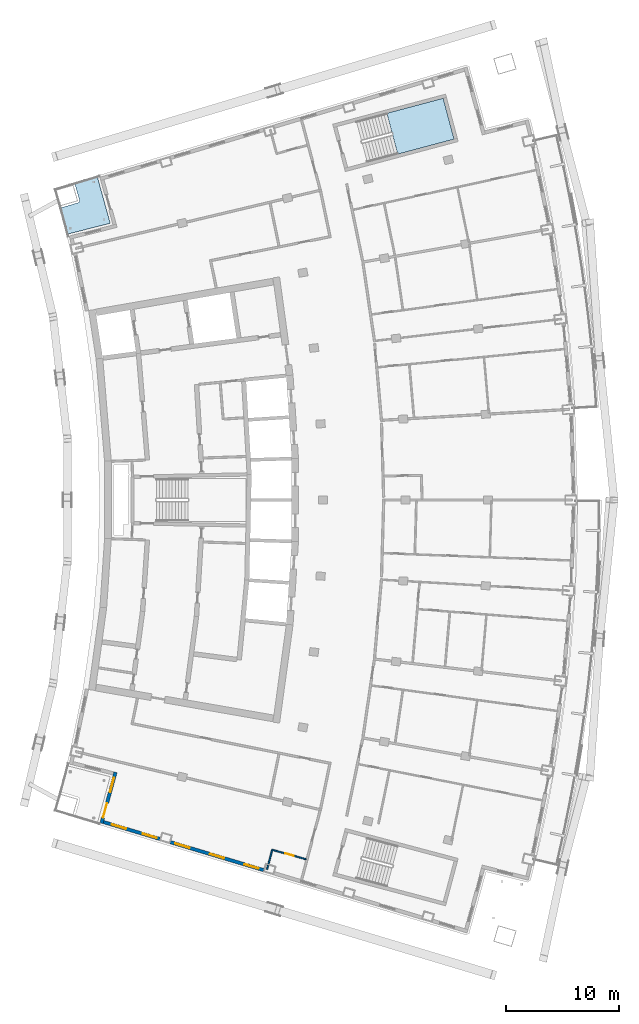
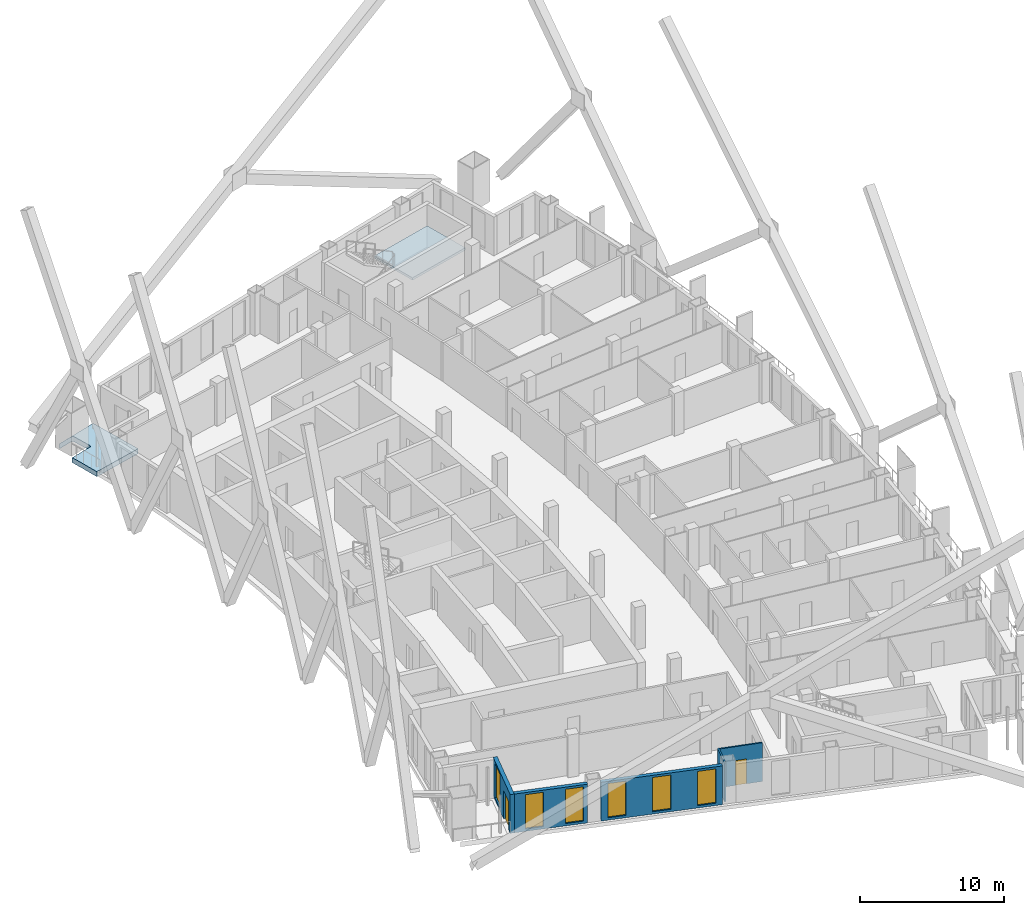
# One storey, part 9 of 20: 6 windows, 5 walls, 2 doors, 2 slabs, 8 openings, 1 element without a shape of its own.
"""IFC4 building model written with IfcOpenShell, lengths in metres."""

from ifc_helpers import new_model, si_unit, direction, frame, frame_2d, origin, place, context, subcontext, project, spatial, polyline, rectangle, outline, extrude, material, layer, layer_set, type_object, element, fill, aggregate, save


model = new_model("IFC4")

# Units and contexts
model_context = context("Model", 3, precision=1e-05, world=origin(), true_north=direction((0.0, 1.0)))
body_context = subcontext(model_context, "Body", "Model", "MODEL_VIEW")
ifc_project = project(units=[si_unit("LENGTHUNIT", "METRE"), si_unit("AREAUNIT", "SQUARE_METRE"), si_unit("VOLUMEUNIT", "CUBIC_METRE"), si_unit("PLANEANGLEUNIT", "RADIAN"), si_unit("MASSUNIT", "GRAM", prefix="KILO")], contexts=[model_context])

# Site, building, storey
site_placement = place(None, origin())
site = spatial("IfcSite", under=ifc_project, at=site_placement, CompositionType="ELEMENT")
building_placement = place(site_placement, origin())
building = spatial("IfcBuilding", under=site, at=building_placement, Name="Alderwake Tower", CompositionType="ELEMENT")
storey_placement = place(building_placement, frame((0.0, 0.0, 210.800048828125)))
storey = spatial("IfcBuildingStorey", under=building, at=storey_placement, Name="L52", CompositionType="ELEMENT", Elevation=210.800048828125)

# Stair, slab
ifc_material_1 = material(Name="Concrete C40/50", Category="concrete")
stair_type = type_object("IfcStairType", Name="Core exit stair", PredefinedType="HALF_TURN_STAIR", material=ifc_material_1)
stair_placement = place(storey_placement, origin())
stair = element("IfcStair", 1, at=stair_placement, inside=storey, type_object=stair_type, Name="L52 Exit Stair A", PredefinedType="HALF_TURN_STAIR")
ifc_material_2 = material(Name="Concrete C40/50", Category="concrete")
ifc_layer_1 = layer(ifc_material_2, 0.199951171875)
ifc_layer_set_1 = layer_set([ifc_layer_1], Name="Core stair landing 200")
slab_type_1 = type_object("IfcSlabType", Name="Core stair landing 200", PredefinedType="LANDING", material=ifc_layer_set_1)
slab_1_placement = place(storey_placement, frame((0.0, 0.0, 1.599853515625)))
slab_1 = element("IfcSlab", 2, at=slab_1_placement, type_object=slab_type_1, Name="ST-A landing 1", PredefinedType="LANDING", context=body_context, shape_type="SweptSolid", body=[
    extrude(outline(polyline([(42.440673828125, 91.67236328125), (47.436279296875, 93.003173828125), (46.47119140625, 96.626708984375), (41.475341796875, 95.296142578125), (42.440673828125, 91.67236328125)])), origin(), (0.0, 0.0, 1.0), 0.2001953125),
])
aggregate(stair, [slab_1])

# Slab
ifc_material_3 = material(Name="Concrete C50/60", Category="concrete")
ifc_layer_2 = layer(ifc_material_3, 0.419921875)
ifc_layer_set_2 = layer_set([ifc_layer_2], Name="Terrace slab 420")
slab_type_2 = type_object("IfcSlabType", Name="Terrace slab 420", PredefinedType="FLOOR", material=ifc_layer_set_2)
slab_2_placement = place(storey_placement, frame((0.0, 0.0, -0.420166015625)))
element("IfcSlab", 3, at=slab_2_placement, inside=storey, type_object=slab_type_2, Name="Corner terrace RN", PredefinedType="FLOOR", context=body_context, shape_type="SweptSolid", body=[
    extrude(outline(polyline([(12.4404296875, 86.891357421875), (12.453857421875, 86.890380859375), (12.468505859375, 86.89111328125), (12.483154296875, 86.89306640625), (12.49755859375, 86.896484375), (14.130126953125, 87.3701171875), (14.14404296875, 87.374755859375), (14.157470703125, 87.381103515625), (14.170166015625, 87.388427734375), (14.18212890625, 87.39697265625), (14.193115234375, 87.40673828125), (14.203125, 87.41748046875), (14.212158203125, 87.42919921875), (14.2197265625, 87.44189453125), (14.226318359375, 87.455078125), (14.2314453125, 87.46875), (14.235107421875, 87.483154296875), (14.237548828125, 87.49755859375), (14.23828125, 87.51220703125), (14.23779296875, 87.527099609375), (14.23583984375, 87.54150390625), (14.232421875, 87.555908203125), (13.814453125, 88.99658203125), (13.809814453125, 89.010498046875), (13.8037109375, 89.023681640625), (13.796142578125, 89.03662109375), (13.78759765625, 89.048583984375), (13.77783203125, 89.0595703125), (13.76708984375, 89.069580078125), (13.75537109375, 89.078369140625), (13.742919921875, 89.086181640625), (13.7294921875, 89.092529296875), (13.7158203125, 89.09765625), (13.701416015625, 89.1015625), (13.68701171875, 89.103759765625), (13.67236328125, 89.104736328125), (13.65771484375, 89.104248046875), (13.64306640625, 89.102294921875), (13.628662109375, 89.098876953125), (12.517333984375, 88.7763671875), (15.776611328125, 89.7548828125), (16.942626953125, 85.53857421875), (13.06494140625, 84.556884765625), (12.71142578125, 85.91162109375), (12.4404296875, 86.891357421875)])), origin(), (0.0, 0.0, 1.0), 0.420166015625),
])

# Wall, openings, door, window
ifc_material_4 = material(Name="Bronze metal cladding on lightweight framing")
ifc_layer_3 = layer(ifc_material_4, 0.300048828125)
ifc_layer_set_3 = layer_set([ifc_layer_3], Name="External wall EW2 bronze metal cladding")
wall_type_1 = type_object("IfcWallType", Name="External wall EW2 bronze metal cladding", PredefinedType="SOLIDWALL", material=ifc_layer_set_3)
wall_1_placement = place(storey_placement, frame((17.410400390625, 36.85888671875, 0.0), z_axis=(0.0, 0.0, 1.0), x_axis=(-0.264592640785, -0.96436027212, 0.0)))
wall_1 = element("IfcWall", 4, at=wall_1_placement, inside=storey, type_object=wall_type_1, Name="External wall 3", PredefinedType="SOLIDWALL", context=body_context, shape_type="SweptSolid", body=[
    extrude(rectangle(XDim=4.690185546875, YDim=0.300048828125, at=frame_2d((2.34521484375, 0.0))), origin(), (0.0, 0.0, 1.0), 3.280029296875),
])
opening_1_placement = place(wall_1_placement, frame((0.5224609375, 0.0, 0.199951171875)))
opening_1 = element("IfcOpeningElement", 5, at=opening_1_placement, cuts=wall_1, Name="Opening W1", PredefinedType="OPENING", context=body_context, shape_type="SweptSolid", body=[
    extrude(rectangle(XDim=1.300048828125, YDim=2.89990234375, at=frame_2d((0.64990234375, 1.449951171875))), frame((0.0, 0.159912109375, 0.0), z_axis=(0.0, -1.0, 0.0), x_axis=(1.0, 0.0, 0.0)), (0.0, 0.0, 1.0), 0.320068359375),
])
opening_2_placement = place(wall_1_placement, frame((2.867431640625, 0.0, 0.0)))
opening_2 = element("IfcOpeningElement", 6, at=opening_2_placement, cuts=wall_1, Name="Opening D01", PredefinedType="OPENING", context=body_context, shape_type="SweptSolid", body=[
    extrude(rectangle(XDim=1.300048828125, YDim=2.39990234375, at=frame_2d((0.64990234375, 1.199951171875))), frame((0.0, 0.159912109375, 0.0), z_axis=(0.0, -1.0, 0.0), x_axis=(1.0, 0.0, 0.0)), (0.0, 0.0, 1.0), 0.320068359375),
])
ifc_material_5 = material(Name="Bronze tinted glass in aluminium frame", Category="aluminium")
door_type_1 = type_object("IfcDoorType", Name="Balcony door BD sliding", OperationType="SLIDING_TO_LEFT", PredefinedType="DOOR", material=ifc_material_5)
door_1_placement = place(opening_2_placement, origin())
door_1 = element("IfcDoor", 7, at=door_1_placement, inside=storey, type_object=door_type_1, Name="Door D01", OperationType="SLIDING_TO_LEFT", OverallHeight=2.39990234375, OverallWidth=1.300048828125, PredefinedType="DOOR", context=body_context, shape_type="SweptSolid", body=[
    extrude(rectangle(XDim=1.300048828125, YDim=2.39990234375, at=frame_2d((0.64990234375, 1.199951171875))), frame((0.0, 0.02490234375, 0.0), z_axis=(0.0, -1.0, 0.0), x_axis=(1.0, 0.0, 0.0)), (0.0, 0.0, 1.0), 0.050048828125),
])
fill(opening_2, door_1)
ifc_material_6 = material(Name="Bronze tinted glass in aluminium frame", Category="aluminium")
window_type = type_object("IfcWindowType", Name="Window W1 tall fixed and vent", PartitioningType="DOUBLE_PANEL_VERTICAL", PredefinedType="WINDOW", material=ifc_material_6)
window_1_placement = place(opening_1_placement, origin())
window_1 = element("IfcWindow", 8, at=window_1_placement, inside=storey, type_object=window_type, Name="Window W1 tall fixed and vent", OverallHeight=2.89990234375, OverallWidth=1.300048828125, PartitioningType="DOUBLE_PANEL_VERTICAL", PredefinedType="WINDOW", context=body_context, shape_type="SweptSolid", body=[
    extrude(rectangle(XDim=1.300048828125, YDim=2.89990234375, at=frame_2d((0.64990234375, 1.449951171875))), frame((0.0, 0.030029296875, 0.0), z_axis=(0.0, -1.0, 0.0), x_axis=(1.0, 0.0, 0.0)), (0.0, 0.0, 1.0), 0.06005859375),
])
fill(opening_1, window_1)

# Wall, openings, windows
wall_2_placement = place(storey_placement, frame((16.352783203125, 32.4375, 0.0), z_axis=(0.0, 0.0, 1.0), x_axis=(0.95777225046, -0.287527939944, 0.0)))
wall_2 = element("IfcWall", 9, at=wall_2_placement, inside=storey, type_object=wall_type_1, Name="External wall 4", PredefinedType="SOLIDWALL", context=body_context, shape_type="SweptSolid", body=[
    extrude(rectangle(XDim=5.224609375, YDim=0.300048828125, at=frame_2d((2.6123046875, 0.0))), origin(), (0.0, 0.0, 1.0), 3.280029296875),
])
opening_3_placement = place(wall_2_placement, frame((0.775390625, 0.0, 0.199951171875)))
opening_3 = element("IfcOpeningElement", 10, at=opening_3_placement, cuts=wall_2, Name="Opening W1", PredefinedType="OPENING", context=body_context, shape_type="SweptSolid", body=[
    extrude(rectangle(XDim=1.300048828125, YDim=2.89990234375, at=frame_2d((0.64990234375, 1.449951171875))), frame((0.0, 0.159912109375, 0.0), z_axis=(0.0, -1.0, 0.0), x_axis=(1.0, 0.0, 0.0)), (0.0, 0.0, 1.0), 0.320068359375),
])
opening_4_placement = place(wall_2_placement, frame((3.626220703125, 0.0, 0.199951171875)))
opening_4 = element("IfcOpeningElement", 11, at=opening_4_placement, cuts=wall_2, Name="Opening W1", PredefinedType="OPENING", context=body_context, shape_type="SweptSolid", body=[
    extrude(rectangle(XDim=1.300048828125, YDim=2.89990234375, at=frame_2d((0.64990234375, 1.449951171875))), frame((0.0, 0.159912109375, 0.0), z_axis=(0.0, -1.0, 0.0), x_axis=(1.0, 0.0, 0.0)), (0.0, 0.0, 1.0), 0.320068359375),
])
window_2_placement = place(opening_3_placement, origin())
window_2 = element("IfcWindow", 12, at=window_2_placement, inside=storey, type_object=window_type, Name="Window W1 tall fixed and vent", OverallHeight=2.89990234375, OverallWidth=1.300048828125, PartitioningType="DOUBLE_PANEL_VERTICAL", PredefinedType="WINDOW", context=body_context, shape_type="SweptSolid", body=[
    extrude(rectangle(XDim=1.300048828125, YDim=2.89990234375, at=frame_2d((0.64990234375, 1.449951171875))), frame((0.0, 0.030029296875, 0.0), z_axis=(0.0, -1.0, 0.0), x_axis=(1.0, 0.0, 0.0)), (0.0, 0.0, 1.0), 0.06005859375),
])
fill(opening_3, window_2)
window_3_placement = place(opening_4_placement, origin())
window_3 = element("IfcWindow", 13, at=window_3_placement, inside=storey, type_object=window_type, Name="Window W1 tall fixed and vent", OverallHeight=2.89990234375, OverallWidth=1.300048828125, PartitioningType="DOUBLE_PANEL_VERTICAL", PredefinedType="WINDOW", context=body_context, shape_type="SweptSolid", body=[
    extrude(rectangle(XDim=1.300048828125, YDim=2.89990234375, at=frame_2d((0.64990234375, 1.449951171875))), frame((0.0, 0.030029296875, 0.0), z_axis=(0.0, -1.0, 0.0), x_axis=(1.0, 0.0, 0.0)), (0.0, 0.0, 1.0), 0.06005859375),
])
fill(opening_4, window_3)

wall_3_placement = place(storey_placement, frame((22.270751953125, 30.660888671875, 0.0), z_axis=(0.0, 0.0, 1.0), x_axis=(0.957767198916, -0.287544766394, 0.0)))
wall_3 = element("IfcWall", 14, at=wall_3_placement, inside=storey, type_object=wall_type_1, Name="External wall 5", PredefinedType="SOLIDWALL", context=body_context, shape_type="SweptSolid", body=[
    extrude(rectangle(XDim=8.64599609375, YDim=0.300048828125, at=frame_2d((4.322998046875, 0.0))), origin(), (0.0, 0.0, 1.0), 3.280029296875),
])
opening_5_placement = place(wall_3_placement, frame((0.472900390625, 0.0, 0.199951171875)))
opening_5 = element("IfcOpeningElement", 15, at=opening_5_placement, cuts=wall_3, Name="Opening W1", PredefinedType="OPENING", context=body_context, shape_type="SweptSolid", body=[
    extrude(rectangle(XDim=1.300048828125, YDim=2.89990234375, at=frame_2d((0.64990234375, 1.449951171875))), frame((0.0, 0.159912109375, 0.0), z_axis=(0.0, -1.0, 0.0), x_axis=(1.0, 0.0, 0.0)), (0.0, 0.0, 1.0), 0.320068359375),
])
opening_6_placement = place(wall_3_placement, frame((3.673095703125, 0.0, 0.199951171875)))
opening_6 = element("IfcOpeningElement", 16, at=opening_6_placement, cuts=wall_3, Name="Opening W1", PredefinedType="OPENING", context=body_context, shape_type="SweptSolid", body=[
    extrude(rectangle(XDim=1.300048828125, YDim=2.89990234375, at=frame_2d((0.64990234375, 1.449951171875))), frame((0.0, 0.159912109375, 0.0), z_axis=(0.0, -1.0, 0.0), x_axis=(1.0, 0.0, 0.0)), (0.0, 0.0, 1.0), 0.320068359375),
])
opening_7_placement = place(wall_3_placement, frame((6.873046875, 0.0, 0.199951171875)))
opening_7 = element("IfcOpeningElement", 17, at=opening_7_placement, cuts=wall_3, Name="Opening W1", PredefinedType="OPENING", context=body_context, shape_type="SweptSolid", body=[
    extrude(rectangle(XDim=1.300048828125, YDim=2.89990234375, at=frame_2d((0.64990234375, 1.449951171875))), frame((0.0, 0.159912109375, 0.0), z_axis=(0.0, -1.0, 0.0), x_axis=(1.0, 0.0, 0.0)), (0.0, 0.0, 1.0), 0.320068359375),
])
window_4_placement = place(opening_5_placement, origin())
window_4 = element("IfcWindow", 18, at=window_4_placement, inside=storey, type_object=window_type, Name="Window W1 tall fixed and vent", OverallHeight=2.89990234375, OverallWidth=1.300048828125, PartitioningType="DOUBLE_PANEL_VERTICAL", PredefinedType="WINDOW", context=body_context, shape_type="SweptSolid", body=[
    extrude(rectangle(XDim=1.300048828125, YDim=2.89990234375, at=frame_2d((0.64990234375, 1.449951171875))), frame((0.0, 0.030029296875, 0.0), z_axis=(0.0, -1.0, 0.0), x_axis=(1.0, 0.0, 0.0)), (0.0, 0.0, 1.0), 0.06005859375),
])
fill(opening_5, window_4)
window_5_placement = place(opening_6_placement, origin())
window_5 = element("IfcWindow", 19, at=window_5_placement, inside=storey, type_object=window_type, Name="Window W1 tall fixed and vent", OverallHeight=2.89990234375, OverallWidth=1.300048828125, PartitioningType="DOUBLE_PANEL_VERTICAL", PredefinedType="WINDOW", context=body_context, shape_type="SweptSolid", body=[
    extrude(rectangle(XDim=1.300048828125, YDim=2.89990234375, at=frame_2d((0.64990234375, 1.449951171875))), frame((0.0, 0.030029296875, 0.0), z_axis=(0.0, -1.0, 0.0), x_axis=(1.0, 0.0, 0.0)), (0.0, 0.0, 1.0), 0.06005859375),
])
fill(opening_6, window_5)
window_6_placement = place(opening_7_placement, origin())
window_6 = element("IfcWindow", 20, at=window_6_placement, inside=storey, type_object=window_type, Name="Window W1 tall fixed and vent", OverallHeight=2.89990234375, OverallWidth=1.300048828125, PartitioningType="DOUBLE_PANEL_VERTICAL", PredefinedType="WINDOW", context=body_context, shape_type="SweptSolid", body=[
    extrude(rectangle(XDim=1.300048828125, YDim=2.89990234375, at=frame_2d((0.64990234375, 1.449951171875))), frame((0.0, 0.030029296875, 0.0), z_axis=(0.0, -1.0, 0.0), x_axis=(1.0, 0.0, 0.0)), (0.0, 0.0, 1.0), 0.06005859375),
])
fill(opening_7, window_6)

# Wall
ifc_material_7 = material(Name="Moisture resistant gypsum board on metal studs")
ifc_layer_4 = layer(ifc_material_7, 0.1201171875)
ifc_layer_set_4 = layer_set([ifc_layer_4], Name="Wet room partition 120")
wall_type_2 = type_object("IfcWallType", Name="Wet room partition 120", PredefinedType="PARTITIONING", material=ifc_layer_set_4)
wall_4_placement = place(storey_placement, frame((31.32958984375, 30.031005859375, 0.0), z_axis=(0.0, 0.0, 1.0), x_axis=(-0.259368447521, -0.965778446866, 0.0)))
element("IfcWall", 21, at=wall_4_placement, inside=storey, type_object=wall_type_2, Name="WL/L52/W29", PredefinedType="PARTITIONING", context=body_context, shape_type="SweptSolid", body=[
    extrude(rectangle(XDim=1.8525390625, YDim=0.1201171875, at=frame_2d((0.92626953125, 0.0))), origin(), (0.0, 0.0, 1.0), 3.280029296875),
])

# Wall, opening, door
wall_5_placement = place(storey_placement, frame((34.31787109375, 29.136474609375, 0.0), z_axis=(0.0, 0.0, 1.0), x_axis=(-0.963351881246, 0.268240848677, 0.0)))
wall_5 = element("IfcWall", 22, at=wall_5_placement, inside=storey, type_object=wall_type_2, Name="WL/L52/W31", PredefinedType="PARTITIONING", context=body_context, shape_type="SweptSolid", body=[
    extrude(rectangle(XDim=3.05810546875, YDim=0.1201171875, at=frame_2d((1.529052734375, 0.0))), origin(), (0.0, 0.0, 1.0), 3.280029296875),
])
opening_8_placement = place(wall_5_placement, frame((1.129150390625, 0.0, 0.0)))
opening_8 = element("IfcOpeningElement", 23, at=opening_8_placement, cuts=wall_5, Name="Opening R15-U08.2", PredefinedType="OPENING", context=body_context, shape_type="SweptSolid", body=[
    extrude(rectangle(XDim=0.800048828125, YDim=2.10009765625, at=frame_2d((0.39990234375, 1.050048828125))), frame((0.0, 0.070068359375, 0.0), z_axis=(0.0, -1.0, 0.0), x_axis=(1.0, 0.0, 0.0)), (0.0, 0.0, 1.0), 0.14013671875),
])
ifc_material_8 = material(Name="Painted timber leaf", Category="wood")
door_type_2 = type_object("IfcDoorType", Name="Bathroom door 800", OperationType="SINGLE_SWING_LEFT", PredefinedType="DOOR", material=ifc_material_8)
door_2_placement = place(opening_8_placement, origin())
door_2 = element("IfcDoor", 24, at=door_2_placement, inside=storey, type_object=door_type_2, Name="DR/L52/U08.2", OperationType="SINGLE_SWING_LEFT", OverallHeight=2.10009765625, OverallWidth=0.800048828125, PredefinedType="DOOR", context=body_context, shape_type="SweptSolid", body=[
    extrude(rectangle(XDim=0.800048828125, YDim=2.10009765625, at=frame_2d((0.39990234375, 1.050048828125))), frame((0.0, 0.02490234375, 0.0), z_axis=(0.0, -1.0, 0.0), x_axis=(1.0, 0.0, 0.0)), (0.0, 0.0, 1.0), 0.050048828125),
])
fill(opening_8, door_2)

save(model, "model.ifc")
